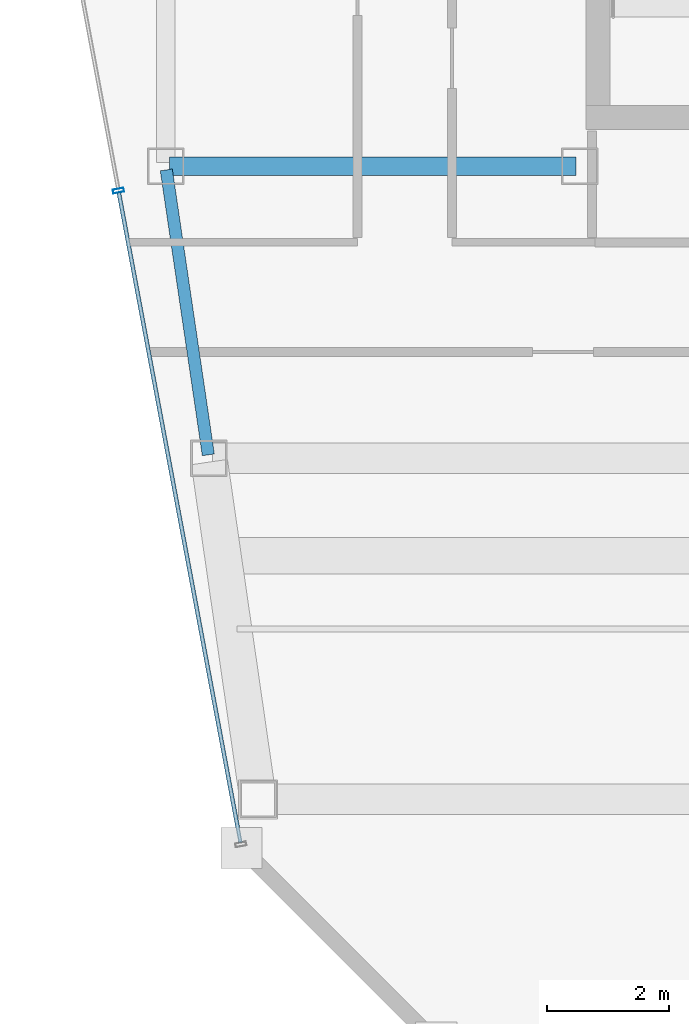
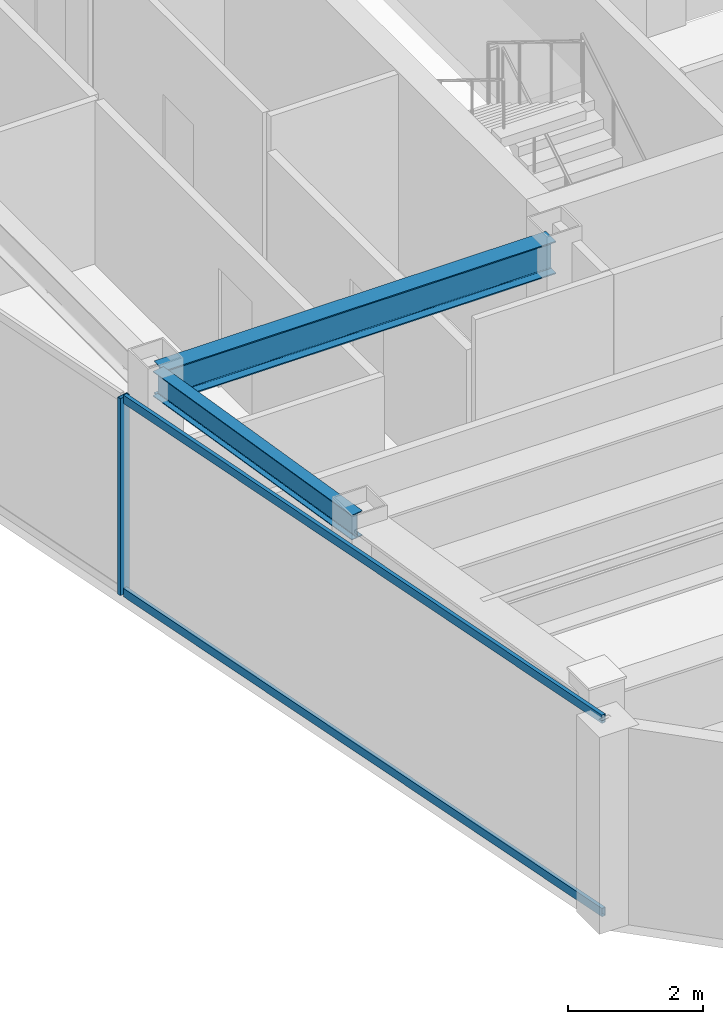
# One storey, part 5 of 23: 3 members, 2 beams, 1 element without a shape of its own.
"""IFC4 building model written with IfcOpenShell, lengths in metres."""

from ifc_helpers import new_model, si_unit, direction, frame, origin, origin_2d, place, context, subcontext, project, spatial, hollow_rectangle, i_section, extrude, material, material_profile, profile_set, type_object, element, aggregate, save


model = new_model("IFC4")

# Units and contexts
model_context = context("Model", 3, precision=1e-05, world=origin(), true_north=direction((0.0, 1.0)))
body_context = subcontext(model_context, "Body", "Model", "MODEL_VIEW")
ifc_project = project(units=[si_unit("LENGTHUNIT", "METRE"), si_unit("AREAUNIT", "SQUARE_METRE"), si_unit("VOLUMEUNIT", "CUBIC_METRE"), si_unit("PLANEANGLEUNIT", "RADIAN"), si_unit("MASSUNIT", "GRAM", prefix="KILO")], contexts=[model_context])

# Site, building, storey
site_placement = place(None, origin())
site = spatial("IfcSite", under=ifc_project, at=site_placement, CompositionType="ELEMENT")
building_placement = place(site_placement, origin())
building = spatial("IfcBuilding", under=site, at=building_placement, Name="Saevonmaru Cultural Tower", CompositionType="ELEMENT")
storey_placement = place(building_placement, frame((0.0, 0.0, 291.39990234375)))
storey = spatial("IfcBuildingStorey", under=building, at=storey_placement, Name="L69", CompositionType="ELEMENT", Elevation=291.39990234375)

# Beams
ifc_material_1 = material(Name="Steel SM355", Category="steel")
ifc_material_profile_1 = material_profile(ifc_material_1, i_section(OverallWidth=0.300048828125, OverallDepth=0.587890625, WebThickness=0.011962890625, FlangeThickness=0.02001953125, FilletRadius=0.02392578125, at=origin_2d()), Name="H-588x300x12x20")
ifc_profile_set_1 = profile_set([ifc_material_profile_1], Name="Steel SM355")
beam_type_1 = type_object("IfcBeamType", Name="BM-G-H588", PredefinedType="BEAM", material=ifc_profile_set_1)
beam_1_placement = place(storey_placement, frame((6.860107421875, 42.39990234375, 3.256103515625), z_axis=(1.0, 0.0, 0.0), x_axis=(0.0, 1.0, 0.0)))
element("IfcBeam", 1, at=beam_1_placement, inside=storey, type_object=beam_type_1, Name="L69 Core South Girder 1", PredefinedType="BEAM", context=body_context, shape_type="SweptSolid", body=[
    extrude(i_section(OverallWidth=0.300048828125, OverallDepth=0.587890625, WebThickness=0.011962890625, FlangeThickness=0.02001953125, FilletRadius=0.02392578125, at=origin_2d()), origin(), (0.0, 0.0, 1.0), 6.679931640625),
])
ifc_material_profile_2 = material_profile(ifc_material_1, i_section(OverallWidth=0.199951171875, OverallDepth=0.449951171875, WebThickness=0.009033203125, FlangeThickness=0.013916015625, FilletRadius=0.01806640625, at=origin_2d()), Name="H-450x200x9x14")
ifc_profile_set_2 = profile_set([ifc_material_profile_2], Name="Steel SM355")
beam_type_2 = type_object("IfcBeamType", Name="BM-SP-H450", PredefinedType="SPANDREL", material=ifc_profile_set_2)
beam_2_placement = place(storey_placement, frame((7.499267578125, 37.659423828125, 3.3251953125), z_axis=(-0.145912860028, 0.989297446312, 0.0), x_axis=(-0.989297446312, -0.145912860028, 0.0)))
element("IfcBeam", 2, at=beam_2_placement, inside=storey, type_object=beam_type_2, Name="L69 West Splayed Spandrel 2", PredefinedType="SPANDREL", context=body_context, shape_type="SweptSolid", body=[
    extrude(i_section(OverallWidth=0.199951171875, OverallDepth=0.449951171875, WebThickness=0.009033203125, FlangeThickness=0.013916015625, FilletRadius=0.01806640625, at=origin_2d()), origin(), (0.0, 0.0, 1.0), 4.731689453125),
])

# Curtain wall, members
ifc_material_2 = material(Name="Satin Bronze Anodised Aluminium", Category="aluminium")
curtain_wall_type = type_object("IfcCurtainWallType", Name="CW-TYP-B", PredefinedType="NOTDEFINED", material=ifc_material_2)
curtain_wall_placement = place(storey_placement, origin())
curtain_wall = element("IfcCurtainWall", 3, at=curtain_wall_placement, inside=storey, type_object=curtain_wall_type, Name="L69 Unitised Curtain Wall E12", PredefinedType="NOTDEFINED")
ifc_material_profile_3 = material_profile(ifc_material_2, hollow_rectangle(XDim=0.06494140625, YDim=0.179931640625, WallThickness=0.00390625, at=origin_2d()), Name="ALU-MULL-180x65x4")
ifc_profile_set_3 = profile_set([ifc_material_profile_3], Name="Satin Bronze Anodised Aluminium")
member_type_1 = type_object("IfcMemberType", Name="ML-CW-180x65", PredefinedType="MULLION", material=ifc_profile_set_3)
member_1_placement = place(storey_placement, frame((6.022216796875, 42.0, 0.0), z_axis=(0.0, 0.0, 1.0), x_axis=(0.184046528232, -0.982917532373, 0.0)))
member_1 = element("IfcMember", 4, at=member_1_placement, type_object=member_type_1, Name="CW-TW-L69-E12 mullion 2", PredefinedType="MULLION", context=body_context, shape_type="SweptSolid", body=[
    extrude(hollow_rectangle(XDim=0.06494140625, YDim=0.179931640625, WallThickness=0.00390625, at=origin_2d()), origin(), (0.0, 0.0, 1.0), 3.550048828125),
])
ifc_material_profile_4 = material_profile(ifc_material_2, hollow_rectangle(XDim=0.06494140625, YDim=0.14990234375, WallThickness=0.00390625, at=origin_2d()), Name="ALU-TRAN-150x65x4")
ifc_profile_set_4 = profile_set([ifc_material_profile_4], Name="Satin Bronze Anodised Aluminium")
member_type_2 = type_object("IfcMemberType", Name="TR-CW-150x65", PredefinedType="USERDEFINED", material=ifc_profile_set_4)
member_2_placement = place(storey_placement, frame((6.028076171875, 41.968017578125, 0.03271484375), z_axis=(0.184051053742, -0.982916684982, 0.0), x_axis=(0.982916684982, 0.184051053742, 0.0)))
member_2 = element("IfcMember", 5, at=member_2_placement, type_object=member_type_2, Name="CW-TW-L69-E12 transom 2.1", ObjectType="TRANSOM", PredefinedType="USERDEFINED", context=body_context, shape_type="SweptSolid", body=[
    extrude(hollow_rectangle(XDim=0.06494140625, YDim=0.14990234375, WallThickness=0.00390625, at=origin_2d()), origin(), (0.0, 0.0, 1.0), 10.862548828125),
])
member_3_placement = place(storey_placement, frame((6.028076171875, 41.968017578125, 3.517578125), z_axis=(0.184051053742, -0.982916684982, 0.0), x_axis=(0.982916684982, 0.184051053742, 0.0)))
member_3 = element("IfcMember", 6, at=member_3_placement, type_object=member_type_2, Name="CW-TW-L69-E12 transom 2.2", ObjectType="TRANSOM", PredefinedType="USERDEFINED", context=body_context, shape_type="SweptSolid", body=[
    extrude(hollow_rectangle(XDim=0.06494140625, YDim=0.14990234375, WallThickness=0.00390625, at=origin_2d()), origin(), (0.0, 0.0, 1.0), 10.862548828125),
])
aggregate(curtain_wall, [member_1, member_2, member_3])

save(model, "model.ifc")
